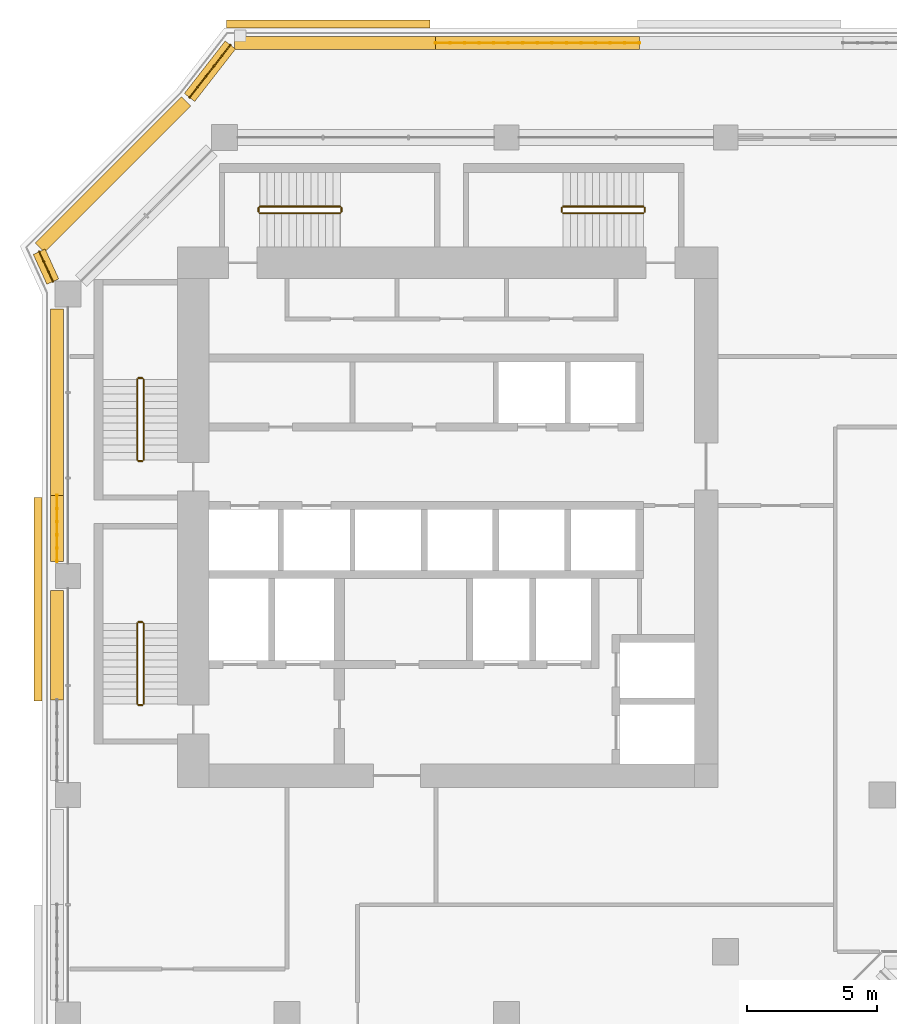
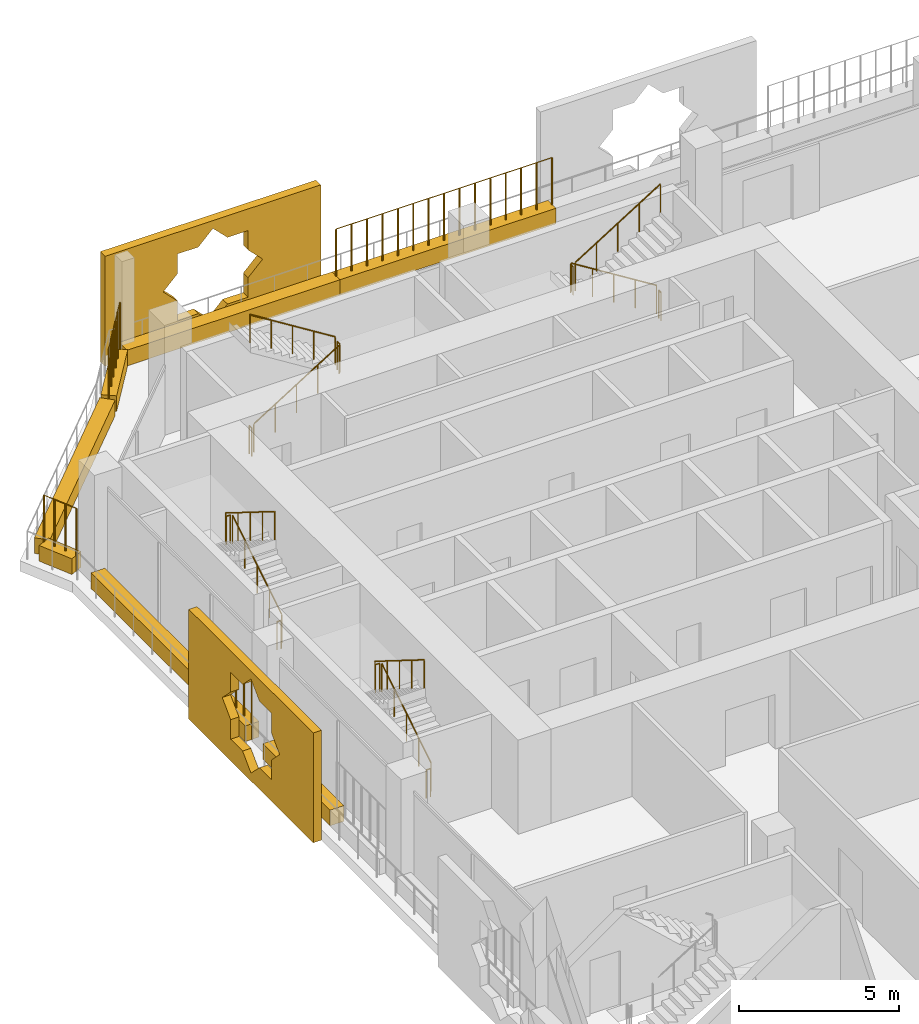
# One storey, part 21 of 23: 20 railings, 10 coverings.
"""IFC4 building model written with IfcOpenShell, lengths in metres."""

from ifc_helpers import new_model, si_unit, direction, frame, origin, origin_2d, place, context, subcontext, project, spatial, polyline, rectangle, circle, outline, extrude, material, material_profile, profile_set, type_object, element, save


model = new_model("IFC4")

# Units and contexts
model_context = context("Model", 3, precision=1e-05, world=origin(), true_north=direction((0.0, 1.0)))
body_context = subcontext(model_context, "Body", "Model", "MODEL_VIEW")
ifc_project = project(units=[si_unit("LENGTHUNIT", "METRE"), si_unit("AREAUNIT", "SQUARE_METRE"), si_unit("VOLUMEUNIT", "CUBIC_METRE"), si_unit("PLANEANGLEUNIT", "RADIAN"), si_unit("MASSUNIT", "GRAM", prefix="KILO")], contexts=[model_context])

# Site, building, storey
site_placement = place(None, origin())
site = spatial("IfcSite", under=ifc_project, at=site_placement, CompositionType="ELEMENT")
building_placement = place(site_placement, origin())
building = spatial("IfcBuilding", under=site, at=building_placement, Name="Kawkab Arch Medical Tower", CompositionType="ELEMENT")
storey_placement = place(building_placement, frame((0.0, 0.0, 166.800048828125)))
storey = spatial("IfcBuildingStorey", under=building, at=storey_placement, Name="L38", CompositionType="ELEMENT", Elevation=166.800048828125)

# Coverings
ifc_material_1 = material(Name="Bronze anodised aluminium mashrabiya panel, eight-point star pattern", Category="aluminium")
ifc_material_profile_1 = material_profile(ifc_material_1, outline(polyline([(-3.89990234375, -2.10009765625), (3.89990234375, -2.10009765625), (3.89990234375, 2.10009765625), (-3.89990234375, 2.10009765625), (-3.89990234375, -2.10009765625)]), holes=[polyline([(1.800048828125, 0.0), (1.272705078125, 0.527099609375), (1.272705078125, 1.272705078125), (0.527099609375, 1.272705078125), (0.0, 1.800048828125), (-0.527099609375, 1.272705078125), (-1.272705078125, 1.272705078125), (-1.272705078125, 0.527099609375), (-1.800048828125, 0.0), (-1.272705078125, -0.527099609375), (-1.272705078125, -1.272705078125), (-0.527099609375, -1.272705078125), (0.0, -1.800048828125), (0.527099609375, -1.272705078125), (1.272705078125, -1.272705078125), (1.272705078125, -0.527099609375), (1.800048828125, 0.0)])]), Name="Mashrabiya panel 7800x4200")
ifc_profile_set_1 = profile_set([ifc_material_profile_1], Name="Bronze anodised aluminium mashrabiya panel, eight-point star pattern")
covering_type_1 = type_object("IfcCoveringType", Name="Mashrabiya panel 7800 x 4200", PredefinedType="USERDEFINED", material=ifc_profile_set_1)
for number, where, z_axis, x_axis, name in (
    (1, (-1.0, -17.698974609375, 1.699951171875), (-1.0, 0.0, 0.0), (0.0, -1.0, 0.0), "Mashrabiya panel L38.LOG-01-02.2"),
    (2, (9.967041015625, 4.199951171875, 1.699951171875), (0.0, 1.0, 0.0), (-1.0, 0.0, 0.0), "Mashrabiya panel L38.LOG-01-02.3"),
):
    element("IfcCovering", number, at=place(storey_placement, frame(where, z_axis=z_axis, x_axis=x_axis)), inside=storey, type_object=covering_type_1, Name=name, ObjectType="SCREEN", PredefinedType="USERDEFINED", context=body_context, shape_type="SweptSolid", body=[
        extrude(outline(polyline([(-3.89990234375, -2.10009765625), (3.89990234375, -2.10009765625), (3.89990234375, 2.10009765625), (-3.89990234375, 2.10009765625), (-3.89990234375, -2.10009765625)]), holes=[polyline([(1.800048828125, 0.0), (1.272705078125, 0.527099609375), (1.272705078125, 1.272705078125), (0.527099609375, 1.272705078125), (0.0, 1.800048828125), (-0.527099609375, 1.272705078125), (-1.272705078125, 1.272705078125), (-1.272705078125, 0.527099609375), (-1.800048828125, 0.0), (-1.272705078125, -0.527099609375), (-1.272705078125, -1.272705078125), (-0.527099609375, -1.272705078125), (0.0, -1.800048828125), (0.527099609375, -1.272705078125), (1.272705078125, -1.272705078125), (1.272705078125, -0.527099609375), (1.800048828125, 0.0)])]), origin(), (0.0, 0.0, 1.0), 0.300048828125),
    ])
ifc_material_2 = material(Name="Planting soil in a precast trough", Category="concrete")
ifc_material_profile_2 = material_profile(ifc_material_2, rectangle(XDim=0.5, YDim=0.60009765625, at=origin_2d()), Name="Trough 500x600")
ifc_profile_set_2 = profile_set([ifc_material_profile_2], Name="Planting soil in a precast trough")
covering_type_2 = type_object("IfcCoveringType", Name="Planter trough 500 x 600", PredefinedType="USERDEFINED", material=ifc_profile_set_2)
covering_1_placement = place(storey_placement, frame((-0.419921875, -21.55810546875, 0.300048828125), z_axis=(0.0, 1.0, 0.0), x_axis=(-1.0, 0.0, 0.0)))
element("IfcCovering", 3, at=covering_1_placement, inside=storey, type_object=covering_type_2, Name="Planter L38.LOG-01-02.14", ObjectType="PLANTER", PredefinedType="USERDEFINED", context=body_context, shape_type="SweptSolid", body=[
    extrude(rectangle(XDim=0.5, YDim=0.60009765625, at=origin_2d()), origin(), (0.0, 0.0, 1.0), 4.203125),
])
covering_2_placement = place(storey_placement, frame((-0.419921875, -16.2451171875, 0.300048828125), z_axis=(0.0, 1.0, 0.0), x_axis=(-1.0, 0.0, 0.0)))
element("IfcCovering", 4, at=covering_2_placement, inside=storey, type_object=covering_type_2, Name="Planter L38.LOG-01-02.15", ObjectType="PLANTER", PredefinedType="USERDEFINED", context=body_context, shape_type="SweptSolid", body=[
    extrude(rectangle(XDim=0.5, YDim=0.60009765625, at=origin_2d()), origin(), (0.0, 0.0, 1.0), 2.529052734375),
])
covering_3_placement = place(storey_placement, frame((-0.419921875, -13.716064453125, 0.300048828125), z_axis=(0.0, 1.0, 0.0), x_axis=(-1.0, 0.0, 0.0)))
element("IfcCovering", 5, at=covering_3_placement, inside=storey, type_object=covering_type_2, Name="Planter L38.LOG-01-02.16", ObjectType="PLANTER", PredefinedType="USERDEFINED", context=body_context, shape_type="SweptSolid", body=[
    extrude(rectangle(XDim=0.5, YDim=0.60009765625, at=origin_2d()), origin(), (0.0, 0.0, 1.0), 7.135986328125),
])
covering_4_placement = place(storey_placement, frame((-0.580078125, -5.52294921875, 0.300048828125), z_axis=(-0.415089762627, 0.909780461959, 0.0), x_axis=(-0.909780461959, -0.415089762627, 0.0)))
element("IfcCovering", 6, at=covering_4_placement, inside=storey, type_object=covering_type_2, Name="Planter L38.LOG-01-02.17", ObjectType="PLANTER", PredefinedType="USERDEFINED", context=body_context, shape_type="SweptSolid", body=[
    extrude(rectangle(XDim=0.5, YDim=0.60009765625, at=origin_2d()), origin(), (0.0, 0.0, 1.0), 1.257568359375),
])
covering_5_placement = place(storey_placement, frame((-1.072998046875, -4.217041015625, 0.300048828125), z_axis=(0.707106781187, 0.707106781187, 0.0), x_axis=(-0.707106781187, 0.707106781187, 0.0)))
element("IfcCovering", 7, at=covering_5_placement, inside=storey, type_object=covering_type_2, Name="Planter L38.LOG-01-02.18", ObjectType="PLANTER", PredefinedType="USERDEFINED", context=body_context, shape_type="SweptSolid", body=[
    extrude(rectangle(XDim=0.5, YDim=0.60009765625, at=origin_2d()), origin(), (0.0, 0.0, 1.0), 7.919677734375),
])
covering_6_placement = place(storey_placement, frame((4.658935546875, 1.531982421875, 0.300048828125), z_axis=(0.61404021143, 0.789274742246, 0.0), x_axis=(-0.789274742246, 0.61404021143, 0.0)))
element("IfcCovering", 8, at=covering_6_placement, inside=storey, type_object=covering_type_2, Name="Planter L38.LOG-01-02.19", ObjectType="PLANTER", PredefinedType="USERDEFINED", context=body_context, shape_type="SweptSolid", body=[
    extrude(rectangle(XDim=0.5, YDim=0.60009765625, at=origin_2d()), origin(), (0.0, 0.0, 1.0), 2.54541015625),
])
covering_7_placement = place(storey_placement, frame((6.384033203125, 3.6201171875, 0.300048828125), z_axis=(1.0, 0.0, 0.0), x_axis=(0.0, 1.0, 0.0)))
element("IfcCovering", 9, at=covering_7_placement, inside=storey, type_object=covering_type_2, Name="Planter L38.LOG-01-02.20", ObjectType="PLANTER", PredefinedType="USERDEFINED", context=body_context, shape_type="SweptSolid", body=[
    extrude(rectangle(XDim=0.5, YDim=0.60009765625, at=origin_2d()), origin(), (0.0, 0.0, 1.0), 7.703857421875),
])
covering_8_placement = place(storey_placement, frame((14.087890625, 3.6201171875, 0.300048828125), z_axis=(1.0, 0.0, 0.0), x_axis=(0.0, 1.0, 0.0)))
element("IfcCovering", 10, at=covering_8_placement, inside=storey, type_object=covering_type_2, Name="Planter L38.LOG-01-02.21", ObjectType="PLANTER", PredefinedType="USERDEFINED", context=body_context, shape_type="SweptSolid", body=[
    extrude(rectangle(XDim=0.5, YDim=0.60009765625, at=origin_2d()), origin(), (0.0, 0.0, 1.0), 7.80517578125),
])

# Railings
ifc_material_3 = material(Name="Bronze anodised aluminium trellis for climbing plants", Category="aluminium")
railing_type_1 = type_object("IfcRailingType", Name="Planting trellis 2400", PredefinedType="USERDEFINED", material=ifc_material_3)
railing_1_placement = place(storey_placement, frame((-0.419921875, -16.2451171875, 0.0)))
element("IfcRailing", 11, at=railing_1_placement, inside=storey, type_object=railing_type_1, Name="Planting trellis L38.LOG-01-02.15", ObjectType="TRELLIS", PredefinedType="USERDEFINED", context=body_context, shape_type="SweptSolid", body=[
    extrude(circle(Radius=0.01513671875, at=origin_2d()), frame((0.0, 0.0, 2.384765625), z_axis=(0.0, 1.0, 0.0), x_axis=(-1.0, 0.0, 0.0)), (0.0, 0.0, 1.0), 2.529052734375),
    extrude(circle(Radius=0.030029296875, at=origin_2d()), origin(), (0.0, 0.0, 1.0), 2.369873046875),
    extrude(circle(Radius=0.030029296875, at=origin_2d()), frame((0.0, 0.505859375, 0.0)), (0.0, 0.0, 1.0), 2.369873046875),
    extrude(circle(Radius=0.030029296875, at=origin_2d()), frame((0.0, 1.01171875, 0.0)), (0.0, 0.0, 1.0), 2.369873046875),
    extrude(circle(Radius=0.030029296875, at=origin_2d()), frame((0.0, 1.517333984375, 0.0)), (0.0, 0.0, 1.0), 2.369873046875),
    extrude(circle(Radius=0.030029296875, at=origin_2d()), frame((0.0, 2.023193359375, 0.0)), (0.0, 0.0, 1.0), 2.369873046875),
    extrude(circle(Radius=0.030029296875, at=origin_2d()), frame((0.0, 2.529052734375, 0.0)), (0.0, 0.0, 1.0), 2.369873046875),
])
railing_2_placement = place(storey_placement, frame((-0.580078125, -5.52294921875, 0.0)))
element("IfcRailing", 12, at=railing_2_placement, inside=storey, type_object=railing_type_1, Name="Planting trellis L38.LOG-01-02.17", ObjectType="TRELLIS", PredefinedType="USERDEFINED", context=body_context, shape_type="SweptSolid", body=[
    extrude(circle(Radius=0.01513671875, at=origin_2d()), frame((0.0, 0.0, 2.384765625), z_axis=(-0.415089762627, 0.909780461959, 0.0), x_axis=(-0.909780461959, -0.415089762627, 0.0)), (0.0, 0.0, 1.0), 1.257568359375),
    extrude(circle(Radius=0.030029296875, at=origin_2d()), origin(), (0.0, 0.0, 1.0), 2.369873046875),
    extrude(circle(Radius=0.030029296875, at=origin_2d()), frame((-0.174072265625, 0.38134765625, 0.0)), (0.0, 0.0, 1.0), 2.369873046875),
    extrude(circle(Radius=0.030029296875, at=origin_2d()), frame((-0.347900390625, 0.7626953125, 0.0)), (0.0, 0.0, 1.0), 2.369873046875),
    extrude(circle(Radius=0.030029296875, at=origin_2d()), frame((-0.52197265625, 1.14404296875, 0.0)), (0.0, 0.0, 1.0), 2.369873046875),
])
railing_3_placement = place(storey_placement, frame((4.658935546875, 1.531982421875, 0.0)))
element("IfcRailing", 13, at=railing_3_placement, inside=storey, type_object=railing_type_1, Name="Planting trellis L38.LOG-01-02.19", ObjectType="TRELLIS", PredefinedType="USERDEFINED", context=body_context, shape_type="SweptSolid", body=[
    extrude(circle(Radius=0.01513671875, at=origin_2d()), frame((0.0, 0.0, 2.384765625), z_axis=(0.61404021143, 0.789274742246, 0.0), x_axis=(-0.789274742246, 0.61404021143, 0.0)), (0.0, 0.0, 1.0), 2.54541015625),
    extrude(circle(Radius=0.030029296875, at=origin_2d()), origin(), (0.0, 0.0, 1.0), 2.369873046875),
    extrude(circle(Radius=0.030029296875, at=origin_2d()), frame((0.3125, 0.40185546875, 0.0)), (0.0, 0.0, 1.0), 2.369873046875),
    extrude(circle(Radius=0.030029296875, at=origin_2d()), frame((0.625244140625, 0.8037109375, 0.0)), (0.0, 0.0, 1.0), 2.369873046875),
    extrude(circle(Radius=0.030029296875, at=origin_2d()), frame((0.937744140625, 1.205322265625, 0.0)), (0.0, 0.0, 1.0), 2.369873046875),
    extrude(circle(Radius=0.030029296875, at=origin_2d()), frame((1.25048828125, 1.607177734375, 0.0)), (0.0, 0.0, 1.0), 2.369873046875),
    extrude(circle(Radius=0.030029296875, at=origin_2d()), frame((1.56298828125, 2.009033203125, 0.0)), (0.0, 0.0, 1.0), 2.369873046875),
])
railing_4_placement = place(storey_placement, frame((14.087890625, 3.6201171875, 0.0)))
element("IfcRailing", 14, at=railing_4_placement, inside=storey, type_object=railing_type_1, Name="Planting trellis L38.LOG-01-02.21", ObjectType="TRELLIS", PredefinedType="USERDEFINED", context=body_context, shape_type="SweptSolid", body=[
    extrude(circle(Radius=0.01513671875, at=origin_2d()), frame((0.0, 0.0, 2.384765625), z_axis=(1.0, 0.0, 0.0), x_axis=(0.0, 1.0, 0.0)), (0.0, 0.0, 1.0), 7.80517578125),
    extrude(circle(Radius=0.030029296875, at=origin_2d()), origin(), (0.0, 0.0, 1.0), 2.369873046875),
    extrude(circle(Radius=0.030029296875, at=origin_2d()), frame((0.5576171875, 0.0, 0.0)), (0.0, 0.0, 1.0), 2.369873046875),
    extrude(circle(Radius=0.030029296875, at=origin_2d()), frame((1.114990234375, 0.0, 0.0)), (0.0, 0.0, 1.0), 2.369873046875),
    extrude(circle(Radius=0.030029296875, at=origin_2d()), frame((1.672607421875, 0.0, 0.0)), (0.0, 0.0, 1.0), 2.369873046875),
    extrude(circle(Radius=0.030029296875, at=origin_2d()), frame((2.22998046875, 0.0, 0.0)), (0.0, 0.0, 1.0), 2.369873046875),
    extrude(circle(Radius=0.030029296875, at=origin_2d()), frame((2.78759765625, 0.0, 0.0)), (0.0, 0.0, 1.0), 2.369873046875),
    extrude(circle(Radius=0.030029296875, at=origin_2d()), frame((3.344970703125, 0.0, 0.0)), (0.0, 0.0, 1.0), 2.369873046875),
    extrude(circle(Radius=0.030029296875, at=origin_2d()), frame((3.902587890625, 0.0, 0.0)), (0.0, 0.0, 1.0), 2.369873046875),
    extrude(circle(Radius=0.030029296875, at=origin_2d()), frame((4.460205078125, 0.0, 0.0)), (0.0, 0.0, 1.0), 2.369873046875),
    extrude(circle(Radius=0.030029296875, at=origin_2d()), frame((5.017578125, 0.0, 0.0)), (0.0, 0.0, 1.0), 2.369873046875),
    extrude(circle(Radius=0.030029296875, at=origin_2d()), frame((5.5751953125, 0.0, 0.0)), (0.0, 0.0, 1.0), 2.369873046875),
    extrude(circle(Radius=0.030029296875, at=origin_2d()), frame((6.132568359375, 0.0, 0.0)), (0.0, 0.0, 1.0), 2.369873046875),
    extrude(circle(Radius=0.030029296875, at=origin_2d()), frame((6.690185546875, 0.0, 0.0)), (0.0, 0.0, 1.0), 2.369873046875),
    extrude(circle(Radius=0.030029296875, at=origin_2d()), frame((7.24755859375, 0.0, 0.0)), (0.0, 0.0, 1.0), 2.369873046875),
    extrude(circle(Radius=0.030029296875, at=origin_2d()), frame((7.80517578125, 0.0, 0.0)), (0.0, 0.0, 1.0), 2.369873046875),
])
ifc_material_4 = material(Name="Stainless steel", Category="steel")
railing_type_2 = type_object("IfcRailingType", Name="Stair guard 1100", PredefinedType="GUARDRAIL", material=ifc_material_4)
railing_5_placement = place(storey_placement, frame((2.89990234375, -12.35009765625, 0.175048828125)))
element("IfcRailing", 15, at=railing_5_placement, inside=storey, type_object=railing_type_2, Name="L38 ST1 stair guard 1", PredefinedType="GUARDRAIL", context=body_context, shape_type="SweptSolid", body=[
    extrude(circle(Radius=0.02392578125, at=origin_2d()), frame((0.0, 0.0, 1.076171875), z_axis=(0.0, 0.848028513186, 0.529950602248), x_axis=(-1.0, 0.0, 0.0)), (0.0, 0.0, 1.0), 3.632080078125),
    extrude(circle(Radius=0.02099609375, at=origin_2d()), origin(), (0.0, 0.0, 1.0), 1.052001953125),
    extrude(circle(Radius=0.02099609375, at=origin_2d()), frame((0.0, 0.77001953125, 0.481201171875)), (0.0, 0.0, 1.0), 1.052001953125),
    extrude(circle(Radius=0.02099609375, at=origin_2d()), frame((0.0, 1.5400390625, 0.96240234375)), (0.0, 0.0, 1.0), 1.052001953125),
    extrude(circle(Radius=0.02099609375, at=origin_2d()), frame((0.0, 2.31005859375, 1.443603515625)), (0.0, 0.0, 1.0), 1.052001953125),
    extrude(circle(Radius=0.02099609375, at=origin_2d()), frame((0.0, 3.080078125, 1.9248046875)), (0.0, 0.0, 1.0), 1.052001953125),
])
railing_6_placement = place(storey_placement, frame((2.85009765625, -9.219970703125, 2.099853515625)))
element("IfcRailing", 16, at=railing_6_placement, inside=storey, type_object=railing_type_2, Name="L38 ST1 stair guard 2", PredefinedType="GUARDRAIL", context=body_context, shape_type="SweptSolid", body=[
    extrude(circle(Radius=0.02392578125, at=origin_2d()), frame((0.0, 0.0, 1.076171875), z_axis=(-1.0, 0.0, 0.0), x_axis=(0.0, -1.0, 0.0)), (0.0, 0.0, 1.0), 0.150146484375),
    extrude(circle(Radius=0.02099609375, at=origin_2d()), origin(), (0.0, 0.0, 1.0), 1.052001953125),
    extrude(circle(Radius=0.02099609375, at=origin_2d()), frame((-0.150146484375, 0.0, 0.0)), (0.0, 0.0, 1.0), 1.052001953125),
])
railing_7_placement = place(storey_placement, frame((2.64990234375, -9.27001953125, 2.27490234375)))
element("IfcRailing", 17, at=railing_7_placement, inside=storey, type_object=railing_type_2, Name="L38 ST1 stair guard 3", PredefinedType="GUARDRAIL", context=body_context, shape_type="SweptSolid", body=[
    extrude(circle(Radius=0.02392578125, at=origin_2d()), frame((0.0, 0.0, 1.076171875), z_axis=(0.0, -0.847998304005, 0.529998940003), x_axis=(1.0, 0.0, 0.0)), (0.0, 0.0, 1.0), 3.632080078125),
    extrude(circle(Radius=0.02099609375, at=origin_2d()), origin(), (0.0, 0.0, 1.0), 1.052001953125),
    extrude(circle(Radius=0.02099609375, at=origin_2d()), frame((0.0, -0.77001953125, 0.481201171875)), (0.0, 0.0, 1.0), 1.052001953125),
    extrude(circle(Radius=0.02099609375, at=origin_2d()), frame((0.0, -1.5400390625, 0.96240234375)), (0.0, 0.0, 1.0), 1.052001953125),
    extrude(circle(Radius=0.02099609375, at=origin_2d()), frame((0.0, -2.31005859375, 1.44384765625)), (0.0, 0.0, 1.0), 1.052001953125),
    extrude(circle(Radius=0.02099609375, at=origin_2d()), frame((0.0, -3.080078125, 1.925048828125)), (0.0, 0.0, 1.0), 1.052001953125),
])
railing_8_placement = place(storey_placement, frame((2.85009765625, -12.39990234375, 0.0)))
element("IfcRailing", 18, at=railing_8_placement, inside=storey, type_object=railing_type_2, Name="L38 ST1 stair guard 4", PredefinedType="GUARDRAIL", context=body_context, shape_type="SweptSolid", body=[
    extrude(circle(Radius=0.02392578125, at=origin_2d()), frame((0.0, 0.0, 1.076171875), z_axis=(-1.0, 0.0, 0.0), x_axis=(0.0, -1.0, 0.0)), (0.0, 0.0, 1.0), 0.150146484375),
    extrude(circle(Radius=0.02099609375, at=origin_2d()), origin(), (0.0, 0.0, 1.0), 1.052001953125),
    extrude(circle(Radius=0.02099609375, at=origin_2d()), frame((-0.150146484375, 0.0, 0.0)), (0.0, 0.0, 1.0), 1.052001953125),
])
railing_9_placement = place(storey_placement, frame((2.89990234375, -21.699951171875, 0.175048828125)))
element("IfcRailing", 19, at=railing_9_placement, inside=storey, type_object=railing_type_2, Name="L38 ST2 stair guard 1", PredefinedType="GUARDRAIL", context=body_context, shape_type="SweptSolid", body=[
    extrude(circle(Radius=0.02392578125, at=origin_2d()), frame((0.0, 0.0, 1.076171875), z_axis=(0.0, 0.848009633417, 0.529980812513), x_axis=(-1.0, 0.0, 0.0)), (0.0, 0.0, 1.0), 3.6318359375),
    extrude(circle(Radius=0.02099609375, at=origin_2d()), origin(), (0.0, 0.0, 1.0), 1.052001953125),
    extrude(circle(Radius=0.02099609375, at=origin_2d()), frame((0.0, 0.77001953125, 0.481201171875)), (0.0, 0.0, 1.0), 1.052001953125),
    extrude(circle(Radius=0.02099609375, at=origin_2d()), frame((0.0, 1.5400390625, 0.96240234375)), (0.0, 0.0, 1.0), 1.052001953125),
    extrude(circle(Radius=0.02099609375, at=origin_2d()), frame((0.0, 2.309814453125, 1.443603515625)), (0.0, 0.0, 1.0), 1.052001953125),
    extrude(circle(Radius=0.02099609375, at=origin_2d()), frame((0.0, 3.079833984375, 1.9248046875)), (0.0, 0.0, 1.0), 1.052001953125),
])
railing_10_placement = place(storey_placement, frame((2.85009765625, -18.570068359375, 2.099853515625)))
element("IfcRailing", 20, at=railing_10_placement, inside=storey, type_object=railing_type_2, Name="L38 ST2 stair guard 2", PredefinedType="GUARDRAIL", context=body_context, shape_type="SweptSolid", body=[
    extrude(circle(Radius=0.02392578125, at=origin_2d()), frame((0.0, 0.0, 1.076171875), z_axis=(-1.0, 0.0, 0.0), x_axis=(0.0, -1.0, 0.0)), (0.0, 0.0, 1.0), 0.150146484375),
    extrude(circle(Radius=0.02099609375, at=origin_2d()), origin(), (0.0, 0.0, 1.0), 1.052001953125),
    extrude(circle(Radius=0.02099609375, at=origin_2d()), frame((-0.150146484375, 0.0, 0.0)), (0.0, 0.0, 1.0), 1.052001953125),
])
railing_11_placement = place(storey_placement, frame((2.64990234375, -18.6201171875, 2.27490234375)))
element("IfcRailing", 21, at=railing_11_placement, inside=storey, type_object=railing_type_2, Name="L38 ST2 stair guard 3", PredefinedType="GUARDRAIL", context=body_context, shape_type="SweptSolid", body=[
    extrude(circle(Radius=0.02392578125, at=origin_2d()), frame((0.0, 0.0, 1.076171875), z_axis=(0.0, -0.847979421464, 0.530029150871), x_axis=(1.0, 0.0, 0.0)), (0.0, 0.0, 1.0), 3.632080078125),
    extrude(circle(Radius=0.02099609375, at=origin_2d()), origin(), (0.0, 0.0, 1.0), 1.052001953125),
    extrude(circle(Radius=0.02099609375, at=origin_2d()), frame((0.0, -0.77001953125, 0.481201171875)), (0.0, 0.0, 1.0), 1.052001953125),
    extrude(circle(Radius=0.02099609375, at=origin_2d()), frame((0.0, -1.5400390625, 0.96240234375)), (0.0, 0.0, 1.0), 1.052001953125),
    extrude(circle(Radius=0.02099609375, at=origin_2d()), frame((0.0, -2.309814453125, 1.44384765625)), (0.0, 0.0, 1.0), 1.052001953125),
    extrude(circle(Radius=0.02099609375, at=origin_2d()), frame((0.0, -3.079833984375, 1.925048828125)), (0.0, 0.0, 1.0), 1.052001953125),
])
railing_12_placement = place(storey_placement, frame((2.85009765625, -21.75, 0.0)))
element("IfcRailing", 22, at=railing_12_placement, inside=storey, type_object=railing_type_2, Name="L38 ST2 stair guard 4", PredefinedType="GUARDRAIL", context=body_context, shape_type="SweptSolid", body=[
    extrude(circle(Radius=0.02392578125, at=origin_2d()), frame((0.0, 0.0, 1.076171875), z_axis=(-1.0, 0.0, 0.0), x_axis=(0.0, -1.0, 0.0)), (0.0, 0.0, 1.0), 0.150146484375),
    extrude(circle(Radius=0.02099609375, at=origin_2d()), origin(), (0.0, 0.0, 1.0), 1.052001953125),
    extrude(circle(Radius=0.02099609375, at=origin_2d()), frame((-0.150146484375, 0.0, 0.0)), (0.0, 0.0, 1.0), 1.052001953125),
])
railing_13_placement = place(storey_placement, frame((7.35009765625, -2.89990234375, 0.175048828125)))
element("IfcRailing", 23, at=railing_13_placement, inside=storey, type_object=railing_type_2, Name="L38 ST3 stair guard 1", PredefinedType="GUARDRAIL", context=body_context, shape_type="SweptSolid", body=[
    extrude(circle(Radius=0.02392578125, at=origin_2d()), frame((0.0, 0.0, 1.076171875), z_axis=(0.848009633417, 0.0, 0.529980812513), x_axis=(0.0, 1.0, 0.0)), (0.0, 0.0, 1.0), 3.6318359375),
    extrude(circle(Radius=0.02099609375, at=origin_2d()), origin(), (0.0, 0.0, 1.0), 1.052001953125),
    extrude(circle(Radius=0.02099609375, at=origin_2d()), frame((0.77001953125, 0.0, 0.481201171875)), (0.0, 0.0, 1.0), 1.052001953125),
    extrude(circle(Radius=0.02099609375, at=origin_2d()), frame((1.5400390625, 0.0, 0.96240234375)), (0.0, 0.0, 1.0), 1.052001953125),
    extrude(circle(Radius=0.02099609375, at=origin_2d()), frame((2.309814453125, 0.0, 1.443603515625)), (0.0, 0.0, 1.0), 1.052001953125),
    extrude(circle(Radius=0.02099609375, at=origin_2d()), frame((3.079833984375, 0.0, 1.9248046875)), (0.0, 0.0, 1.0), 1.052001953125),
])
railing_14_placement = place(storey_placement, frame((10.47998046875, -2.85009765625, 2.099853515625)))
element("IfcRailing", 24, at=railing_14_placement, inside=storey, type_object=railing_type_2, Name="L38 ST3 stair guard 2", PredefinedType="GUARDRAIL", context=body_context, shape_type="SweptSolid", body=[
    extrude(circle(Radius=0.02392578125, at=origin_2d()), frame((0.0, 0.0, 1.076171875), z_axis=(0.0, 1.0, 0.0), x_axis=(-1.0, 0.0, 0.0)), (0.0, 0.0, 1.0), 0.150146484375),
    extrude(circle(Radius=0.02099609375, at=origin_2d()), origin(), (0.0, 0.0, 1.0), 1.052001953125),
    extrude(circle(Radius=0.02099609375, at=origin_2d()), frame((0.0, 0.150146484375, 0.0)), (0.0, 0.0, 1.0), 1.052001953125),
])
railing_15_placement = place(storey_placement, frame((10.429931640625, -2.64990234375, 2.27490234375)))
element("IfcRailing", 25, at=railing_15_placement, inside=storey, type_object=railing_type_2, Name="L38 ST3 stair guard 3", PredefinedType="GUARDRAIL", context=body_context, shape_type="SweptSolid", body=[
    extrude(circle(Radius=0.02392578125, at=origin_2d()), frame((0.0, 0.0, 1.076171875), z_axis=(-0.847979421464, 0.0, 0.530029150871), x_axis=(0.0, -1.0, 0.0)), (0.0, 0.0, 1.0), 3.632080078125),
    extrude(circle(Radius=0.02099609375, at=origin_2d()), origin(), (0.0, 0.0, 1.0), 1.052001953125),
    extrude(circle(Radius=0.02099609375, at=origin_2d()), frame((-0.77001953125, 0.0, 0.481201171875)), (0.0, 0.0, 1.0), 1.052001953125),
    extrude(circle(Radius=0.02099609375, at=origin_2d()), frame((-1.5400390625, 0.0, 0.96240234375)), (0.0, 0.0, 1.0), 1.052001953125),
    extrude(circle(Radius=0.02099609375, at=origin_2d()), frame((-2.309814453125, 0.0, 1.44384765625)), (0.0, 0.0, 1.0), 1.052001953125),
    extrude(circle(Radius=0.02099609375, at=origin_2d()), frame((-3.079833984375, 0.0, 1.925048828125)), (0.0, 0.0, 1.0), 1.052001953125),
])
railing_16_placement = place(storey_placement, frame((7.300048828125, -2.85009765625, 0.0)))
element("IfcRailing", 26, at=railing_16_placement, inside=storey, type_object=railing_type_2, Name="L38 ST3 stair guard 4", PredefinedType="GUARDRAIL", context=body_context, shape_type="SweptSolid", body=[
    extrude(circle(Radius=0.02392578125, at=origin_2d()), frame((0.0, 0.0, 1.076171875), z_axis=(0.0, 1.0, 0.0), x_axis=(-1.0, 0.0, 0.0)), (0.0, 0.0, 1.0), 0.150146484375),
    extrude(circle(Radius=0.02099609375, at=origin_2d()), origin(), (0.0, 0.0, 1.0), 1.052001953125),
    extrude(circle(Radius=0.02099609375, at=origin_2d()), frame((0.0, 0.150146484375, 0.0)), (0.0, 0.0, 1.0), 1.052001953125),
])
railing_17_placement = place(storey_placement, frame((22.050048828125, -2.64990234375, 0.175048828125)))
element("IfcRailing", 27, at=railing_17_placement, inside=storey, type_object=railing_type_2, Name="L38 ST4 stair guard 1", PredefinedType="GUARDRAIL", context=body_context, shape_type="SweptSolid", body=[
    extrude(circle(Radius=0.02392578125, at=origin_2d()), frame((0.0, 0.0, 1.076171875), z_axis=(-0.848028513186, 0.0, 0.529950602248), x_axis=(0.0, -1.0, 0.0)), (0.0, 0.0, 1.0), 3.632080078125),
    extrude(circle(Radius=0.02099609375, at=origin_2d()), origin(), (0.0, 0.0, 1.0), 1.052001953125),
    extrude(circle(Radius=0.02099609375, at=origin_2d()), frame((-0.77001953125, 0.0, 0.481201171875)), (0.0, 0.0, 1.0), 1.052001953125),
    extrude(circle(Radius=0.02099609375, at=origin_2d()), frame((-1.5400390625, 0.0, 0.96240234375)), (0.0, 0.0, 1.0), 1.052001953125),
    extrude(circle(Radius=0.02099609375, at=origin_2d()), frame((-2.31005859375, 0.0, 1.443603515625)), (0.0, 0.0, 1.0), 1.052001953125),
    extrude(circle(Radius=0.02099609375, at=origin_2d()), frame((-3.080078125, 0.0, 1.9248046875)), (0.0, 0.0, 1.0), 1.052001953125),
])
railing_18_placement = place(storey_placement, frame((18.919921875, -2.699951171875, 2.099853515625)))
element("IfcRailing", 28, at=railing_18_placement, inside=storey, type_object=railing_type_2, Name="L38 ST4 stair guard 2", PredefinedType="GUARDRAIL", context=body_context, shape_type="SweptSolid", body=[
    extrude(circle(Radius=0.02392578125, at=origin_2d()), frame((0.0, 0.0, 1.076171875), z_axis=(0.0, -1.0, 0.0), x_axis=(1.0, 0.0, 0.0)), (0.0, 0.0, 1.0), 0.150146484375),
    extrude(circle(Radius=0.02099609375, at=origin_2d()), origin(), (0.0, 0.0, 1.0), 1.052001953125),
    extrude(circle(Radius=0.02099609375, at=origin_2d()), frame((0.0, -0.150146484375, 0.0)), (0.0, 0.0, 1.0), 1.052001953125),
])
railing_19_placement = place(storey_placement, frame((18.969970703125, -2.89990234375, 2.27490234375)))
element("IfcRailing", 29, at=railing_19_placement, inside=storey, type_object=railing_type_2, Name="L38 ST4 stair guard 3", PredefinedType="GUARDRAIL", context=body_context, shape_type="SweptSolid", body=[
    extrude(circle(Radius=0.02392578125, at=origin_2d()), frame((0.0, 0.0, 1.076171875), z_axis=(0.847998304005, 0.0, 0.529998940003), x_axis=(0.0, 1.0, 0.0)), (0.0, 0.0, 1.0), 3.632080078125),
    extrude(circle(Radius=0.02099609375, at=origin_2d()), origin(), (0.0, 0.0, 1.0), 1.052001953125),
    extrude(circle(Radius=0.02099609375, at=origin_2d()), frame((0.77001953125, 0.0, 0.481201171875)), (0.0, 0.0, 1.0), 1.052001953125),
    extrude(circle(Radius=0.02099609375, at=origin_2d()), frame((1.5400390625, 0.0, 0.96240234375)), (0.0, 0.0, 1.0), 1.052001953125),
    extrude(circle(Radius=0.02099609375, at=origin_2d()), frame((2.31005859375, 0.0, 1.44384765625)), (0.0, 0.0, 1.0), 1.052001953125),
    extrude(circle(Radius=0.02099609375, at=origin_2d()), frame((3.080078125, 0.0, 1.925048828125)), (0.0, 0.0, 1.0), 1.052001953125),
])
railing_20_placement = place(storey_placement, frame((22.10009765625, -2.699951171875, 0.0)))
element("IfcRailing", 30, at=railing_20_placement, inside=storey, type_object=railing_type_2, Name="L38 ST4 stair guard 4", PredefinedType="GUARDRAIL", context=body_context, shape_type="SweptSolid", body=[
    extrude(circle(Radius=0.02392578125, at=origin_2d()), frame((0.0, 0.0, 1.076171875), z_axis=(0.0, -1.0, 0.0), x_axis=(1.0, 0.0, 0.0)), (0.0, 0.0, 1.0), 0.150146484375),
    extrude(circle(Radius=0.02099609375, at=origin_2d()), origin(), (0.0, 0.0, 1.0), 1.052001953125),
    extrude(circle(Radius=0.02099609375, at=origin_2d()), frame((0.0, -0.150146484375, 0.0)), (0.0, 0.0, 1.0), 1.052001953125),
])

save(model, "model.ifc")
